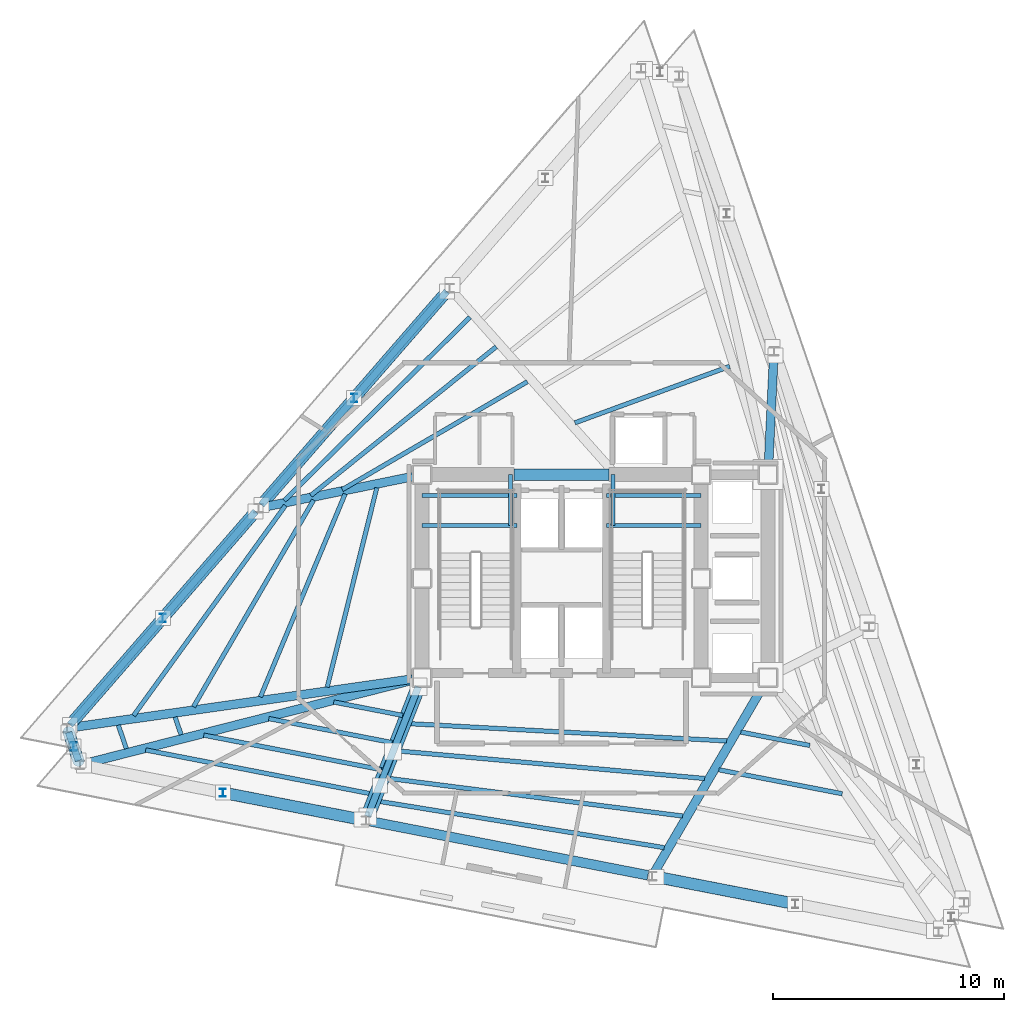
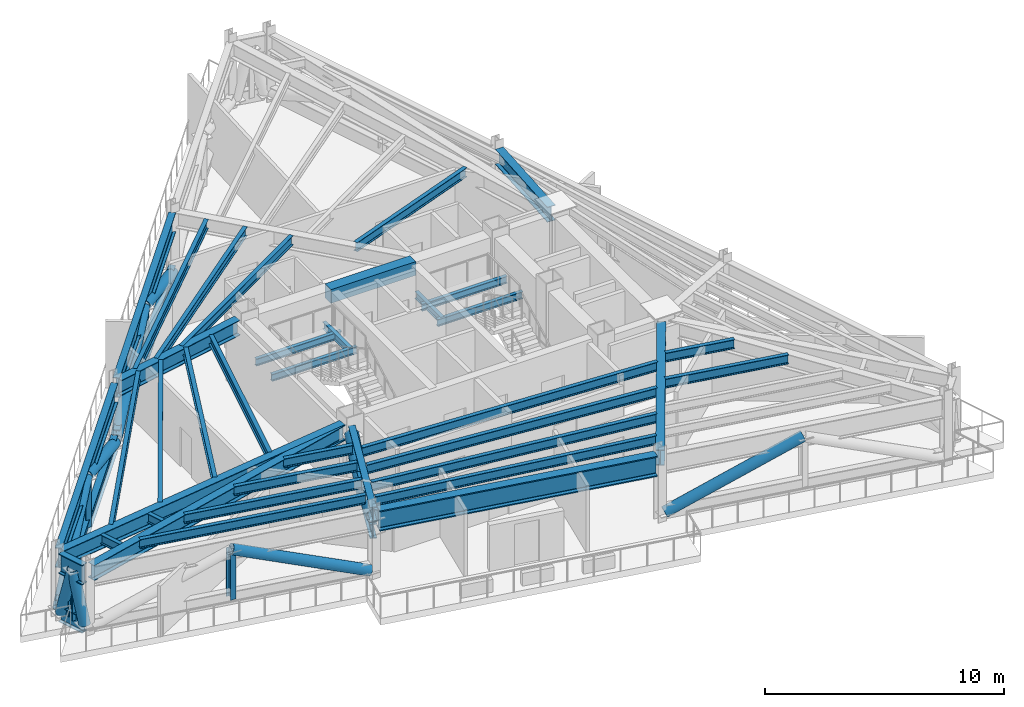
# One storey, part 2 of 8: 36 beams, 20 members.
"""IFC4 building model written with IfcOpenShell, lengths in metres."""

import ifcopenshell
import ifcopenshell.guid

model = None  # the IFC model being written
_history = None  # IfcOwnerHistory: only IFC2X3 demands one
_inside = {}  # id of a spatial element -> (the spatial element, [elements in it])
_under = {}  # id of a project, library or spatial element -> (it, [spatial elements below it])
_declared = {}  # id of a project -> (the project, [libraries it declares])
_typed = {}  # id of a type object -> (the type object, [elements of that type])
_made_of = {}  # id of a material, layer set ... -> (it, [elements and type objects made of it])


def new_model(schema):
    """Start an empty IFC model of exactly this schema.

    Asked for "IFC4X3", IfcOpenShell would pick the latest addendum, in which some entities
    have other attributes; the version numbers below select the first issue.
    IFC2X3 requires an IfcOwnerHistory on every rooted entity: one is made here for all.
    """
    global model, _history
    if schema == "IFC4X3":
        model = ifcopenshell.file(schema_version=(4, 3, 0, 0))
    else:
        model = ifcopenshell.file(schema=schema)
    _inside.clear()
    _under.clear()
    _declared.clear()
    _typed.clear()
    _made_of.clear()
    _history = None
    if model.schema == "IFC2X3":
        org = make("IfcOrganization", Name="unknown")
        user = make(
            "IfcPersonAndOrganization",
            ThePerson=make("IfcPerson", FamilyName="unknown"),
            TheOrganization=org,
        )
        app = make(
            "IfcApplication",
            ApplicationDeveloper=org,
            Version="unknown",
            ApplicationFullName="unknown",
            ApplicationIdentifier="unknown",
        )
        _history = make(
            "IfcOwnerHistory",
            OwningUser=user,
            OwningApplication=app,
            ChangeAction="ADDED",
            CreationDate=0,
        )
    return model


def make(cls, **values):
    """One entity of the class cls with the attributes given. An attribute that is None is left unset."""
    return model.create_entity(
        cls, **{name: value for name, value in values.items() if value is not None}
    )


def rooted(cls, **values):
    """An entity with a GlobalId (a new one), such as an element, a storey or a relation."""
    return make(cls, GlobalId=ifcopenshell.guid.new(), OwnerHistory=_history, **values)


def si_unit(unit_type, name, prefix=None):
    """IfcSIUnit, for example si_unit("LENGTHUNIT", "METRE", prefix="MILLI")."""
    return make("IfcSIUnit", UnitType=unit_type, Prefix=prefix, Name=name)


def assignment(units):
    """IfcUnitAssignment: the units of a project."""
    return None if units is None else make("IfcUnitAssignment", Units=units)


def point(xyz):
    """IfcCartesianPoint."""
    return None if xyz is None else make("IfcCartesianPoint", Coordinates=xyz)


def direction(xyz):
    """IfcDirection."""
    return None if xyz is None else make("IfcDirection", DirectionRatios=xyz)


def frame(location, z_axis=None, x_axis=None):
    """IfcAxis2Placement3D, a coordinate frame: its origin and axes. An axis left out is left unset."""
    return make(
        "IfcAxis2Placement3D",
        Location=point(location),
        Axis=direction(z_axis),
        RefDirection=direction(x_axis),
    )


def frame_2d(location, x_axis=None):
    """IfcAxis2Placement2D, a coordinate frame in the plane: its origin and x axis."""
    return make(
        "IfcAxis2Placement2D", Location=point(location), RefDirection=direction(x_axis)
    )


def origin():
    """The frame at (0, 0, 0) with its axes left unset."""
    return frame((0.0, 0.0, 0.0))


def origin_2d():
    """The frame at (0, 0) in the plane with its x axis left unset."""
    return frame_2d((0.0, 0.0))


def place(relative_to, where):
    """IfcLocalPlacement: puts the frame where relative to a parent placement (None: the world)."""
    return make(
        "IfcLocalPlacement", PlacementRelTo=relative_to, RelativePlacement=where
    )


def context(
    kind, dimensions, precision=None, world=None, true_north=None, identifier=None
):
    """IfcGeometricRepresentationContext, for example the 3D "Model" context."""
    return make(
        "IfcGeometricRepresentationContext",
        ContextIdentifier=identifier,
        ContextType=kind,
        CoordinateSpaceDimension=dimensions,
        Precision=precision,
        WorldCoordinateSystem=world,
        TrueNorth=true_north,
    )


def subcontext(parent, identifier, kind, view, scale=None):
    """IfcGeometricRepresentationSubContext, for example "Body" below "Model"."""
    return make(
        "IfcGeometricRepresentationSubContext",
        ContextIdentifier=identifier,
        ContextType=kind,
        ParentContext=parent,
        TargetScale=scale,
        TargetView=view,
    )


def project(units=None, contexts=None):
    """IfcProject with its units and contexts."""
    return rooted(
        "IfcProject",
        Name="project",
        RepresentationContexts=contexts,
        UnitsInContext=assignment(units),
    )


def spatial(cls, under=None, at=None, **own):
    """A site, building, storey or space (cls), placed at a placement, below another one or the project."""
    s = rooted(cls, ObjectPlacement=at, **own)
    if under is not None:
        _under.setdefault(under.id(), (under, []))[1].append(s)
    return s


def profile(cls, at=None, kind="AREA", **sizes):
    """A parametric profile (cls). Its sizes go by their IFC names, for example OverallWidth=200.0."""
    return make(cls, ProfileType=kind, Position=at, **sizes)


def rectangle(**sizes):
    """IfcRectangleProfileDef."""
    return profile("IfcRectangleProfileDef", **sizes)


def hollow_circle(**sizes):
    """IfcCircleHollowProfileDef."""
    return profile("IfcCircleHollowProfileDef", **sizes)


def i_section(**sizes):
    """IfcIShapeProfileDef."""
    return profile("IfcIShapeProfileDef", **sizes)


def extrude(swept, where, along, depth):
    """IfcExtrudedAreaSolid: the profile swept, set in the frame where, extruded along a direction by depth."""
    return make(
        "IfcExtrudedAreaSolid",
        SweptArea=swept,
        Position=where,
        ExtrudedDirection=direction(along),
        Depth=depth,
    )


def shape(context_of_items, identifier, shape_type, items):
    """IfcShapeRepresentation: the items that make up one representation, for example the "Body"."""
    return make(
        "IfcShapeRepresentation",
        ContextOfItems=context_of_items,
        RepresentationIdentifier=identifier,
        RepresentationType=shape_type,
        Items=items,
    )


def material(Name=None, Category=None):
    """IfcMaterial."""
    return make("IfcMaterial", Name=Name, Category=Category)


def material_profile(
    of_material, cross_section, Name=None, Category=None, Priority=None
):
    """IfcMaterialProfile: a cross section and its material."""
    return make(
        "IfcMaterialProfile",
        Name=Name,
        Material=of_material,
        Profile=cross_section,
        Priority=Priority,
        Category=Category,
    )


def profile_set(profiles, Name=None, composite=None):
    """IfcMaterialProfileSet."""
    return make(
        "IfcMaterialProfileSet",
        Name=Name,
        MaterialProfiles=profiles,
        CompositeProfile=composite,
    )


def made_of(thing, what):
    """Note that an element or type object is made of a material, layer set ...; save() writes the relation."""
    if what is not None:
        _made_of.setdefault(what.id(), (what, []))[1].append(thing)
    return thing


def type_object(cls, material=None, **own):
    """A type object (cls), such as IfcWallType, which elements share."""
    return made_of(rooted(cls, **own), material)


def element(
    cls,
    number,
    at=None,
    inside=None,
    cuts=None,
    type_object=None,
    material=None,
    context=None,
    identifier="Body",
    shape_type=None,
    held_by="IfcProductDefinitionShape",
    body=None,
    shapes=None,
    **own,
):
    """One element of the class cls, such as IfcWall. Its Tag is "e" and its number.

    at: its placement. inside: the storey or other place that contains it. cuts: it is an
    opening in that element (IfcRelVoidsElement). A single representation is given by context,
    identifier, shape_type and body (its items); several are given by shapes. held_by: the class
    of the entity that holds the representations. save() writes the other relations.
    """
    e = rooted(cls, Tag="e%d" % number, ObjectPlacement=at, **own)
    if body is not None:
        shapes = [shape(context, identifier, shape_type, body)]
    if shapes is not None:
        e.Representation = make(held_by, Representations=shapes)
    if inside is not None:
        _inside.setdefault(inside.id(), (inside, []))[1].append(e)
    if cuts is not None:
        rooted(
            "IfcRelVoidsElement", RelatingBuildingElement=cuts, RelatedOpeningElement=e
        )
    if type_object is not None:
        _typed.setdefault(type_object.id(), (type_object, []))[1].append(e)
    return made_of(e, material)


def aggregate(whole, parts):
    """IfcRelAggregates: a whole, such as a stair, and the parts it consists of."""
    return rooted("IfcRelAggregates", RelatingObject=whole, RelatedObjects=parts)


def save(model, path):
    """Write the relations noted so far, then the file.

    IfcRelAggregates (storeys below a building ...), IfcRelContainedInSpatialStructure (elements
    in a storey), IfcRelDefinesByType, IfcRelAssociatesMaterial and IfcRelDeclares: one each for
    every whole, place, type object, material and project.
    """
    for whole, parts in _under.values():
        aggregate(whole, parts)
    for where, things in _inside.values():
        rooted(
            "IfcRelContainedInSpatialStructure",
            RelatedElements=things,
            RelatingStructure=where,
        )
    for kind, things in _typed.values():
        rooted("IfcRelDefinesByType", RelatedObjects=things, RelatingType=kind)
    for what, things in _made_of.values():
        rooted("IfcRelAssociatesMaterial", RelatedObjects=things, RelatingMaterial=what)
    for by, libraries in _declared.values():
        rooted("IfcRelDeclares", RelatingContext=by, RelatedDefinitions=libraries)
    model.write(path)


model = new_model("IFC4")

# Units and contexts
model_context = context("Model", 3, precision=1e-05, world=origin(), true_north=direction((0.0, 1.0)))
body_context = subcontext(model_context, "Body", "Model", "MODEL_VIEW")
ifc_project = project(units=[si_unit("LENGTHUNIT", "METRE"), si_unit("AREAUNIT", "SQUARE_METRE"), si_unit("VOLUMEUNIT", "CUBIC_METRE"), si_unit("PLANEANGLEUNIT", "RADIAN"), si_unit("MASSUNIT", "GRAM", prefix="KILO")], contexts=[model_context])

# Site, building, storey
site_placement = place(None, origin())
site = spatial("IfcSite", under=ifc_project, at=site_placement, CompositionType="ELEMENT")
building_placement = place(site_placement, origin())
building = spatial("IfcBuilding", under=site, at=building_placement, Name="Rocaltana Carrier Exchange", CompositionType="ELEMENT")
storey_placement = place(building_placement, frame((0.0, 0.0, 171.52001953125)))
storey = spatial("IfcBuildingStorey", under=building, at=storey_placement, Name="L54", CompositionType="ELEMENT", Elevation=171.52001953125)

# Members
ifc_material_1 = material(Name="Steel S460", Category="steel")
ifc_material_profile_1 = material_profile(ifc_material_1, i_section(OverallWidth=0.300048828125, OverallDepth=0.800048828125, WebThickness=0.017578125, FlangeThickness=0.032958984375, FilletRadius=0.030029296875, at=origin_2d()), Name="HEB800")
ifc_profile_set_1 = profile_set([ifc_material_profile_1], Name="Steel S460")
member_type_1 = type_object("IfcMemberType", Name="Belt Truss Chord HEB800", PredefinedType="CHORD", material=ifc_profile_set_1)
member_1_placement = place(storey_placement, frame((-4.971435546875, 12.440185546875, 0.35009765625), z_axis=(-0.656065259921, -0.754704163713, 0.0), x_axis=(0.754704163713, -0.656065259921, 0.0)))
element("IfcMember", 1, at=member_1_placement, inside=storey, type_object=member_type_1, Name="L54 Belt Truss Bottom Chord 6", PredefinedType="CHORD", context=body_context, shape_type="SweptSolid", body=[
    extrude(i_section(OverallWidth=0.300048828125, OverallDepth=0.800048828125, WebThickness=0.017578125, FlangeThickness=0.032958984375, FilletRadius=0.030029296875, at=origin_2d()), origin(), (0.0, 0.0, 1.0), 12.254150390625),
])
member_2_placement = place(storey_placement, frame((-13.259765625, 2.90576171875, 0.35009765625), z_axis=(-0.656055395422, -0.754712738821, 0.0), x_axis=(0.754712738821, -0.656055395422, 0.0)))
element("IfcMember", 2, at=member_2_placement, inside=storey, type_object=member_type_1, Name="L54 Belt Truss Bottom Chord 7", PredefinedType="CHORD", context=body_context, shape_type="SweptSolid", body=[
    extrude(i_section(OverallWidth=0.300048828125, OverallDepth=0.800048828125, WebThickness=0.017578125, FlangeThickness=0.032958984375, FilletRadius=0.030029296875, at=origin_2d()), origin(), (0.0, 0.0, 1.0), 12.25439453125),
])
member_3_placement = place(storey_placement, frame((-21.36181640625, -6.664794921875, 0.35009765625), z_axis=(0.32546636066, -0.945553619885, 0.0), x_axis=(0.945553619885, 0.32546636066, 0.0)))
element("IfcMember", 3, at=member_3_placement, inside=storey, type_object=member_type_1, Name="L54 Belt Truss Bottom Chord 8", PredefinedType="CHORD", context=body_context, shape_type="SweptSolid", body=[
    extrude(i_section(OverallWidth=0.300048828125, OverallDepth=0.800048828125, WebThickness=0.017578125, FlangeThickness=0.032958984375, FilletRadius=0.030029296875, at=origin_2d()), origin(), (0.0, 0.0, 1.0), 1.305908203125),
])
ifc_material_2 = material(Name="Steel S460", Category="steel")
ifc_material_profile_2 = material_profile(ifc_material_2, hollow_circle(Radius=0.25390625, WallThickness=0.02001953125, at=origin_2d()), Name="CHS508X20")
ifc_profile_set_2 = profile_set([ifc_material_profile_2], Name="Steel S460")
member_type_2 = type_object("IfcMemberType", Name="Belt Truss Diagonal CHS508", PredefinedType="BRACE", material=ifc_profile_set_2)
member_4_placement = place(storey_placement, frame((-4.971435546875, 12.440185546875, 0.35009765625), z_axis=(-0.607861039895, -0.699270935721, 0.376198238477), x_axis=(0.754712738821, -0.656055395422, 0.0)))
element("IfcMember", 4, at=member_4_placement, inside=storey, type_object=member_type_2, Name="L54 Belt Truss Diagonal 6A", PredefinedType="BRACE", context=body_context, shape_type="SweptSolid", body=[
    extrude(hollow_circle(Radius=0.25390625, WallThickness=0.02001953125, at=origin_2d()), origin(), (0.0, 0.0, 1.0), 6.613037109375),
])
member_5_placement = place(storey_placement, frame((-8.9912109375, 7.81591796875, 2.837890625), z_axis=(-0.607876732596, -0.699252068957, -0.376207950511), x_axis=(0.754695588218, -0.656075124604, 0.0)))
element("IfcMember", 5, at=member_5_placement, inside=storey, type_object=member_type_2, Name="L54 Belt Truss Diagonal 6B", PredefinedType="BRACE", context=body_context, shape_type="SweptSolid", body=[
    extrude(hollow_circle(Radius=0.25390625, WallThickness=0.02001953125, at=origin_2d()), origin(), (0.0, 0.0, 1.0), 6.61279296875),
])
for number, where, z_axis, x_axis, name in (
    (6, (-13.259765625, 2.90576171875, 0.35009765625), (-0.607861039895, -0.699270935721, 0.376198238477), (0.754712738821, -0.656055395422, 0.0), "L54 Belt Truss Diagonal 7A"),
    (7, (-17.279541015625, -1.718505859375, 2.837890625), (-0.607861039895, -0.699270935721, -0.376198238477), (0.754712738821, -0.656055395422, 0.0), "L54 Belt Truss Diagonal 7B"),
):
    element("IfcMember", number, at=place(storey_placement, frame(where, z_axis=z_axis, x_axis=x_axis)), inside=storey, type_object=member_type_2, Name=name, PredefinedType="BRACE", context=body_context, shape_type="SweptSolid", body=[
        extrude(hollow_circle(Radius=0.25390625, WallThickness=0.02001953125, at=origin_2d()), origin(), (0.0, 0.0, 1.0), 6.613037109375),
    ])
for number, where, z_axis, x_axis, name in (
    (8, (-21.36181640625, -6.664794921875, 0.35009765625), (0.082580896727, -0.240054123933, 0.967240617984), (0.945611139304, 0.325299205692, 0.0), "L54 Belt Truss Diagonal 8A"),
    (9, (-21.1494140625, -7.2822265625, 2.837890625), (0.082675168868, -0.24005224118, -0.967233031879), (0.945496077923, 0.325633485121, 0.0), "L54 Belt Truss Diagonal 8B"),
):
    element("IfcMember", number, at=place(storey_placement, frame(where, z_axis=z_axis, x_axis=x_axis)), inside=storey, type_object=member_type_2, Name=name, PredefinedType="BRACE", context=body_context, shape_type="SweptSolid", body=[
        extrude(hollow_circle(Radius=0.25390625, WallThickness=0.02001953125, at=origin_2d()), origin(), (0.0, 0.0, 1.0), 2.572021484375),
    ])
for number, where, z_axis, x_axis, name in (
    (10, (-14.674560546875, -9.2841796875, 2.837890625), (0.90952124467, -0.17676521024, -0.376198306673), (0.190780072674, 0.981632805009, 0.0), "L54 Belt Truss Diagonal 9B"),
    (11, (4.11328125, -12.936279296875, 0.35009765625), (0.90952124467, -0.17676521024, 0.376198306673), (0.190780072674, 0.981632805009, 0.0), "L54 Belt Truss Diagonal 11A"),
):
    element("IfcMember", number, at=place(storey_placement, frame(where, z_axis=z_axis, x_axis=x_axis)), inside=storey, type_object=member_type_2, Name=name, PredefinedType="BRACE", context=body_context, shape_type="SweptSolid", body=[
        extrude(hollow_circle(Radius=0.25390625, WallThickness=0.02001953125, at=origin_2d()), origin(), (0.0, 0.0, 1.0), 6.613037109375),
    ])
ifc_material_3 = material(Name="Steel S460", Category="steel")
ifc_material_profile_3 = material_profile(ifc_material_3, i_section(OverallWidth=0.257080078125, OverallDepth=0.363037109375, WebThickness=0.012939453125, FlangeThickness=0.021728515625, FilletRadius=0.014892578125, at=origin_2d()), Name="W14X82")
ifc_profile_set_3 = profile_set([ifc_material_profile_3], Name="Steel S460")
member_type_3 = type_object("IfcMemberType", Name="Belt Truss Post W14X82", PredefinedType="POST", material=ifc_profile_set_3)
for number, where, z_axis, x_axis, name in (
    (12, (-8.9912109375, 7.81591796875, 0.35009765625), (0.0, 0.0, 1.0), (1.0, 0.0, 0.0), "L54 Belt Truss Post 6"),
    (13, (-17.279541015625, -1.718505859375, 0.35009765625), (0.0, 0.0, 1.0), (1.0, 0.0, 0.0), "L54 Belt Truss Post 7"),
    (14, (-21.1494140625, -7.2822265625, 0.35009765625), (0.0, 0.0, 1.0), (1.0, 0.0, 0.0), "L54 Belt Truss Post 8"),
    (15, (-14.674560546875, -9.2841796875, 0.35009765625), (0.0, 0.0, 1.0), (1.0, 0.0, 0.0), "L54 Belt Truss Post 9"),
):
    element("IfcMember", number, at=place(storey_placement, frame(where, z_axis=z_axis, x_axis=x_axis)), inside=storey, type_object=member_type_3, Name=name, PredefinedType="POST", context=body_context, shape_type="SweptSolid", body=[
        extrude(i_section(OverallWidth=0.257080078125, OverallDepth=0.363037109375, WebThickness=0.012939453125, FlangeThickness=0.021728515625, FilletRadius=0.014892578125, at=origin_2d()), origin(), (0.0, 0.0, 1.0), 2.48779296875),
    ])

# Beams
ifc_material_4 = material(Name="Concrete C60/75", Category="concrete")
ifc_material_profile_4 = material_profile(ifc_material_4, rectangle(XDim=0.5, YDim=0.699951171875, at=origin_2d()), Name="RC-BM-500X700")
ifc_profile_set_4 = profile_set([ifc_material_profile_4], Name="Concrete C60/75")
beam_type_1 = type_object("IfcBeamType", Name="Core Coupling Lintel 500x700", PredefinedType="LINTEL", material=ifc_profile_set_4)
beam_1_placement = place(storey_placement, frame((-2.050048828125, 4.5, 3.06787109375), z_axis=(1.0, 0.0, 0.0), x_axis=(0.0, 1.0, 0.0)))
element("IfcBeam", 16, at=beam_1_placement, inside=storey, type_object=beam_type_1, Name="L54 Core Coupling Lintel CL-N", PredefinedType="LINTEL", context=body_context, shape_type="SweptSolid", body=[
    extrude(rectangle(XDim=0.5, YDim=0.699951171875, at=origin_2d()), origin(), (0.0, 0.0, 1.0), 4.10009765625),
])
ifc_material_5 = material(Name="Steel S355", Category="steel")
ifc_material_profile_5 = material_profile(ifc_material_5, i_section(OverallWidth=0.172119140625, OverallDepth=0.35791015625, WebThickness=0.0078125, FlangeThickness=0.01318359375, FilletRadius=0.011962890625, at=origin_2d()), Name="W14X38")
ifc_profile_set_5 = profile_set([ifc_material_profile_5], Name="Steel S355")
beam_type_2 = type_object("IfcBeamType", Name="Floor Joist W14X38", PredefinedType="JOIST", material=ifc_profile_set_5)
for number, where, z_axis, x_axis, name in (
    (17, (-6.050048828125, 2.300048828125, 1.541015625), (1.0, 0.0, 0.0), (0.0, 1.0, 0.0), "L54 ST-1 Landing Carrier 1"),
    (18, (1.93994140625, 2.300048828125, 1.541015625), (1.0, 0.0, 0.0), (0.0, 1.0, 0.0), "L54 ST-2 Landing Carrier 1"),
    (19, (-6.050048828125, 3.60009765625, 1.541015625), (1.0, 0.0, 0.0), (0.0, 1.0, 0.0), "L54 ST-1 Landing Carrier 2"),
    (20, (1.93994140625, 3.60009765625, 1.541015625), (1.0, 0.0, 0.0), (0.0, 1.0, 0.0), "L54 ST-2 Landing Carrier 2"),
):
    element("IfcBeam", number, at=place(storey_placement, frame(where, z_axis=z_axis, x_axis=x_axis)), inside=storey, type_object=beam_type_2, Name=name, PredefinedType="JOIST", context=body_context, shape_type="SweptSolid", body=[
        extrude(i_section(OverallWidth=0.172119140625, OverallDepth=0.35791015625, WebThickness=0.0078125, FlangeThickness=0.01318359375, FilletRadius=0.011962890625, at=origin_2d()), origin(), (0.0, 0.0, 1.0), 4.110107421875),
    ])
for number, where, z_axis, x_axis, name in (
    (21, (-2.219970703125, 2.300048828125, 1.541015625), (0.0, 1.0, 0.0), (-1.0, 0.0, 0.0), "L54 ST-1 Landing Cross Trimmer"),
    (22, (2.219970703125, 2.300048828125, 1.541015625), (0.0, 1.0, 0.0), (-1.0, 0.0, 0.0), "L54 ST-2 Landing Cross Trimmer"),
):
    element("IfcBeam", number, at=place(storey_placement, frame(where, z_axis=z_axis, x_axis=x_axis)), inside=storey, type_object=beam_type_2, Name=name, PredefinedType="JOIST", context=body_context, shape_type="SweptSolid", body=[
        extrude(i_section(OverallWidth=0.172119140625, OverallDepth=0.35791015625, WebThickness=0.0078125, FlangeThickness=0.01318359375, FilletRadius=0.011962890625, at=origin_2d()), origin(), (0.0, 0.0, 1.0), 2.199951171875),
    ])
ifc_material_6 = material(Name="Steel S355", Category="steel")
ifc_material_profile_6 = material_profile(ifc_material_6, i_section(OverallWidth=0.193115234375, OverallDepth=0.466064453125, WebThickness=0.011474609375, FlangeThickness=0.01904296875, FilletRadius=0.013916015625, at=origin_2d()), Name="W18X65")
ifc_profile_set_6 = profile_set([ifc_material_profile_6], Name="Steel S355")
beam_type_3 = type_object("IfcBeamType", Name="Floor Joist W18X65", PredefinedType="JOIST", material=ifc_profile_set_6)
beam_2_placement = place(storey_placement, frame((7.289306640625, 9.193603515625, 3.18505859375), z_axis=(-0.939420580628, -0.342766644662, 0.0), x_axis=(0.342766644662, -0.939420580628, 0.0)))
element("IfcBeam", 23, at=beam_2_placement, inside=storey, type_object=beam_type_3, Name="FJ-L54-05-1", PredefinedType="JOIST", context=body_context, shape_type="SweptSolid", body=[
    extrude(i_section(OverallWidth=0.193115234375, OverallDepth=0.466064453125, WebThickness=0.011474609375, FlangeThickness=0.01904296875, FilletRadius=0.013916015625, at=origin_2d()), origin(), (0.0, 0.0, 1.0), 7.141845703125),
])
beam_3_placement = place(storey_placement, frame((-1.47998046875, 8.529541015625, 3.18505859375), z_axis=(-0.863966661771, -0.503549011863, 0.0), x_axis=(0.503549011863, -0.863966661771, 0.0)))
element("IfcBeam", 24, at=beam_3_placement, inside=storey, type_object=beam_type_3, Name="FJ-L54-06-2", PredefinedType="JOIST", context=body_context, shape_type="SweptSolid", body=[
    extrude(i_section(OverallWidth=0.193115234375, OverallDepth=0.466064453125, WebThickness=0.011474609375, FlangeThickness=0.01904296875, FilletRadius=0.013916015625, at=origin_2d()), origin(), (0.0, 0.0, 1.0), 9.28759765625),
])
beam_4_placement = place(storey_placement, frame((-2.83203125, 10.04296875, 3.18505859375), z_axis=(-0.780100369522, -0.625654388198, 0.0), x_axis=(0.625654388198, -0.780100369522, 0.0)))
element("IfcBeam", 25, at=beam_4_placement, inside=storey, type_object=beam_type_3, Name="FJ-L54-06-3", PredefinedType="JOIST", context=body_context, shape_type="SweptSolid", body=[
    extrude(i_section(OverallWidth=0.193115234375, OverallDepth=0.466064453125, WebThickness=0.011474609375, FlangeThickness=0.01904296875, FilletRadius=0.013916015625, at=origin_2d()), origin(), (0.0, 0.0, 1.0), 10.298583984375),
])
beam_5_placement = place(storey_placement, frame((-3.970947265625, 11.322021484375, 3.18505859375), z_axis=(-0.711553827165, -0.702631589844, 0.0), x_axis=(0.702631589844, -0.711553827165, 0.0)))
element("IfcBeam", 26, at=beam_5_placement, inside=storey, type_object=beam_type_3, Name="FJ-L54-06-4", PredefinedType="JOIST", context=body_context, shape_type="SweptSolid", body=[
    extrude(i_section(OverallWidth=0.193115234375, OverallDepth=0.466064453125, WebThickness=0.011474609375, FlangeThickness=0.01904296875, FilletRadius=0.013916015625, at=origin_2d()), origin(), (0.0, 0.0, 1.0), 11.301025390625),
])
beam_6_placement = place(storey_placement, frame((-8.007568359375, 3.92919921875, 3.18505859375), z_axis=(-0.241328929932, -0.970443376801, 0.0), x_axis=(0.970443376801, -0.241328929932, 0.0)))
element("IfcBeam", 27, at=beam_6_placement, inside=storey, type_object=beam_type_3, Name="FJ-L54-07-1", PredefinedType="JOIST", context=body_context, shape_type="SweptSolid", body=[
    extrude(i_section(OverallWidth=0.193115234375, OverallDepth=0.466064453125, WebThickness=0.011474609375, FlangeThickness=0.01904296875, FilletRadius=0.013916015625, at=origin_2d()), origin(), (0.0, 0.0, 1.0), 8.903564453125),
])
beam_7_placement = place(storey_placement, frame((-9.38037109375, 3.662109375, 3.18505859375), z_axis=(-0.385057268615, -0.92289268059, 0.0), x_axis=(0.92289268059, -0.385057268615, 0.0)))
element("IfcBeam", 28, at=beam_7_placement, inside=storey, type_object=beam_type_3, Name="FJ-L54-07-2", PredefinedType="JOIST", context=body_context, shape_type="SweptSolid", body=[
    extrude(i_section(OverallWidth=0.193115234375, OverallDepth=0.466064453125, WebThickness=0.011474609375, FlangeThickness=0.01904296875, FilletRadius=0.013916015625, at=origin_2d()), origin(), (0.0, 0.0, 1.0), 9.5322265625),
])
beam_8_placement = place(storey_placement, frame((-10.748291015625, 3.397216796875, 3.18505859375), z_axis=(-0.502149731096, -0.864780693332, 0.0), x_axis=(0.864780693332, -0.502149731096, 0.0)))
element("IfcBeam", 29, at=beam_8_placement, inside=storey, type_object=beam_type_3, Name="FJ-L54-07-3", PredefinedType="JOIST", context=body_context, shape_type="SweptSolid", body=[
    extrude(i_section(OverallWidth=0.193115234375, OverallDepth=0.466064453125, WebThickness=0.011474609375, FlangeThickness=0.01904296875, FilletRadius=0.013916015625, at=origin_2d()), origin(), (0.0, 0.0, 1.0), 10.359375),
])
beam_9_placement = place(storey_placement, frame((-11.968017578125, 3.160400390625, 3.18505859375), z_axis=(-0.585836504735, -0.810429262626, 0.0), x_axis=(0.810429262626, -0.585836504735, 0.0)))
element("IfcBeam", 30, at=beam_9_placement, inside=storey, type_object=beam_type_3, Name="FJ-L54-07-4", PredefinedType="JOIST", context=body_context, shape_type="SweptSolid", body=[
    extrude(i_section(OverallWidth=0.193115234375, OverallDepth=0.466064453125, WebThickness=0.011474609375, FlangeThickness=0.01904296875, FilletRadius=0.013916015625, at=origin_2d()), origin(), (0.0, 0.0, 1.0), 11.232421875),
])
beam_10_placement = place(storey_placement, frame((-16.75146484375, -6.00439453125, 3.18505859375), z_axis=(0.325610060785, -0.945504145055, 0.0), x_axis=(0.945504145055, 0.325610060785, 0.0)))
element("IfcBeam", 31, at=beam_10_placement, inside=storey, type_object=beam_type_3, Name="FJ-L54-08-3", PredefinedType="JOIST", context=body_context, shape_type="SweptSolid", body=[
    extrude(i_section(OverallWidth=0.193115234375, OverallDepth=0.466064453125, WebThickness=0.011474609375, FlangeThickness=0.01904296875, FilletRadius=0.013916015625, at=origin_2d()), origin(), (0.0, 0.0, 1.0), 0.810546875),
])
beam_11_placement = place(storey_placement, frame((-19.211181640625, -6.354248046875, 3.18505859375), z_axis=(0.325503000405, -0.945541007428, 0.0), x_axis=(0.945541007428, 0.325503000405, 0.0)))
element("IfcBeam", 32, at=beam_11_placement, inside=storey, type_object=beam_type_3, Name="FJ-L54-08-4", PredefinedType="JOIST", context=body_context, shape_type="SweptSolid", body=[
    extrude(i_section(OverallWidth=0.193115234375, OverallDepth=0.466064453125, WebThickness=0.011474609375, FlangeThickness=0.01904296875, FilletRadius=0.013916015625, at=origin_2d()), origin(), (0.0, 0.0, 1.0), 1.080078125),
])
beam_12_placement = place(storey_placement, frame((-9.87158203125, -5.35546875, 3.18505859375), z_axis=(0.981634181365, -0.190772990688, 0.0), x_axis=(0.190772990688, 0.981634181365, 0.0)))
element("IfcBeam", 33, at=beam_12_placement, inside=storey, type_object=beam_type_3, Name="FJ-L54-09-1", PredefinedType="JOIST", context=body_context, shape_type="SweptSolid", body=[
    extrude(i_section(OverallWidth=0.193115234375, OverallDepth=0.466064453125, WebThickness=0.011474609375, FlangeThickness=0.01904296875, FilletRadius=0.013916015625, at=origin_2d()), origin(), (0.0, 0.0, 1.0), 3.0419921875),
])
beam_13_placement = place(storey_placement, frame((-12.6884765625, -6.073486328125, 3.18505859375), z_axis=(0.981630795697, -0.190790411027, 0.0), x_axis=(0.190790411027, 0.981630795697, 0.0)))
element("IfcBeam", 34, at=beam_13_placement, inside=storey, type_object=beam_type_3, Name="FJ-L54-09-2", PredefinedType="JOIST", context=body_context, shape_type="SweptSolid", body=[
    extrude(i_section(OverallWidth=0.193115234375, OverallDepth=0.466064453125, WebThickness=0.011474609375, FlangeThickness=0.01904296875, FilletRadius=0.013916015625, at=origin_2d()), origin(), (0.0, 0.0, 1.0), 5.442138671875),
])
beam_14_placement = place(storey_placement, frame((-15.505126953125, -6.79150390625, 3.18505859375), z_axis=(0.981629482389, -0.190797167969, 0.0), x_axis=(0.190797167969, 0.981629482389, 0.0)))
element("IfcBeam", 35, at=beam_14_placement, inside=storey, type_object=beam_type_3, Name="FJ-L54-09-3", PredefinedType="JOIST", context=body_context, shape_type="SweptSolid", body=[
    extrude(i_section(OverallWidth=0.193115234375, OverallDepth=0.466064453125, WebThickness=0.011474609375, FlangeThickness=0.01904296875, FilletRadius=0.013916015625, at=origin_2d()), origin(), (0.0, 0.0, 1.0), 7.842529296875),
])
beam_15_placement = place(storey_placement, frame((-18.025390625, -7.433837890625, 3.18505859375), z_axis=(0.981627470153, -0.1908075204, 0.0), x_axis=(0.1908075204, 0.981627470153, 0.0)))
element("IfcBeam", 36, at=beam_15_placement, inside=storey, type_object=beam_type_3, Name="FJ-L54-09-4", PredefinedType="JOIST", context=body_context, shape_type="SweptSolid", body=[
    extrude(i_section(OverallWidth=0.193115234375, OverallDepth=0.466064453125, WebThickness=0.011474609375, FlangeThickness=0.01904296875, FilletRadius=0.013916015625, at=origin_2d()), origin(), (0.0, 0.0, 1.0), 9.990478515625),
])
beam_16_placement = place(storey_placement, frame((-6.641357421875, -6.29052734375, 3.18505859375), z_axis=(0.998520629672, -0.054374186153, 0.0), x_axis=(0.054374186153, 0.998520629672, 0.0)))
element("IfcBeam", 37, at=beam_16_placement, inside=storey, type_object=beam_type_3, Name="FJ-L54-10-1", PredefinedType="JOIST", context=body_context, shape_type="SweptSolid", body=[
    extrude(i_section(OverallWidth=0.193115234375, OverallDepth=0.466064453125, WebThickness=0.011474609375, FlangeThickness=0.01904296875, FilletRadius=0.013916015625, at=origin_2d()), origin(), (0.0, 0.0, 1.0), 13.8203125),
])
beam_17_placement = place(storey_placement, frame((-7.102294921875, -7.47314453125, 3.18505859375), z_axis=(0.995983324954, -0.08953891005, 0.0), x_axis=(0.08953891005, 0.995983324954, 0.0)))
element("IfcBeam", 38, at=beam_17_placement, inside=storey, type_object=beam_type_3, Name="FJ-L54-10-2", PredefinedType="JOIST", context=body_context, shape_type="SweptSolid", body=[
    extrude(i_section(OverallWidth=0.193115234375, OverallDepth=0.466064453125, WebThickness=0.011474609375, FlangeThickness=0.01904296875, FilletRadius=0.013916015625, at=origin_2d()), origin(), (0.0, 0.0, 1.0), 13.360595703125),
])
beam_18_placement = place(storey_placement, frame((-7.563720703125, -8.656005859375, 3.18505859375), z_axis=(0.99190426186, -0.126987933696, 0.0), x_axis=(0.126987933696, 0.99190426186, 0.0)))
element("IfcBeam", 39, at=beam_18_placement, inside=storey, type_object=beam_type_3, Name="FJ-L54-10-3", PredefinedType="JOIST", context=body_context, shape_type="SweptSolid", body=[
    extrude(i_section(OverallWidth=0.193115234375, OverallDepth=0.466064453125, WebThickness=0.011474609375, FlangeThickness=0.01904296875, FilletRadius=0.013916015625, at=origin_2d()), origin(), (0.0, 0.0, 1.0), 12.91943359375),
])
beam_19_placement = place(storey_placement, frame((-7.952392578125, -9.652587890625, 3.18505859375), z_axis=(0.987068189875, -0.160300931178, 0.0), x_axis=(0.160300931178, 0.987068189875, 0.0)))
element("IfcBeam", 40, at=beam_19_placement, inside=storey, type_object=beam_type_3, Name="FJ-L54-10-4", PredefinedType="JOIST", context=body_context, shape_type="SweptSolid", body=[
    extrude(i_section(OverallWidth=0.193115234375, OverallDepth=0.466064453125, WebThickness=0.011474609375, FlangeThickness=0.01904296875, FilletRadius=0.013916015625, at=origin_2d()), origin(), (0.0, 0.0, 1.0), 12.563232421875),
])
beam_20_placement = place(storey_placement, frame((7.77490234375, -6.6572265625, 3.18505859375), z_axis=(0.981634181365, -0.190772990688, 0.0), x_axis=(0.190772990688, 0.981634181365, 0.0)))
element("IfcBeam", 41, at=beam_20_placement, inside=storey, type_object=beam_type_3, Name="FJ-L54-11-1", PredefinedType="JOIST", context=body_context, shape_type="SweptSolid", body=[
    extrude(i_section(OverallWidth=0.193115234375, OverallDepth=0.466064453125, WebThickness=0.011474609375, FlangeThickness=0.01904296875, FilletRadius=0.013916015625, at=origin_2d()), origin(), (0.0, 0.0, 1.0), 3.0419921875),
])
beam_21_placement = place(storey_placement, frame((6.82080078125, -8.291259765625, 3.18505859375), z_axis=(0.981630795697, -0.190790411027, 0.0), x_axis=(0.190790411027, 0.981630795697, 0.0)))
element("IfcBeam", 42, at=beam_21_placement, inside=storey, type_object=beam_type_3, Name="FJ-L54-11-2", PredefinedType="JOIST", context=body_context, shape_type="SweptSolid", body=[
    extrude(i_section(OverallWidth=0.193115234375, OverallDepth=0.466064453125, WebThickness=0.011474609375, FlangeThickness=0.01904296875, FilletRadius=0.013916015625, at=origin_2d()), origin(), (0.0, 0.0, 1.0), 5.442138671875),
])

# Members
ifc_material_7 = material(Name="Steel S460", Category="steel")
ifc_material_profile_7 = material_profile(ifc_material_7, i_section(OverallWidth=0.300048828125, OverallDepth=0.89990234375, WebThickness=0.0185546875, FlangeThickness=0.034912109375, FilletRadius=0.030029296875, at=origin_2d()), Name="HEB900")
ifc_profile_set_7 = profile_set([ifc_material_profile_7], Name="Steel S460")
member_type_4 = type_object("IfcMemberType", Name="Outrigger Chord HEB900", PredefinedType="CHORD", material=ifc_profile_set_7)
for number, where, z_axis, x_axis, name in (
    (43, (-6.20361328125, -4.69189453125, 2.239990234375), (-0.364631120207, -0.931152053199, 0.0), (0.931152053199, -0.364631120207, 0.0), "L54 Outrigger Bottom Chord 10"),
    (44, (-6.20361328125, -4.69189453125, 2.93798828125), (-0.364631120207, -0.931152053199, 0.0), (0.931152053199, -0.364631120207, 0.0), "L54 Outrigger Top Chord 10"),
):
    element("IfcMember", number, at=place(storey_placement, frame(where, z_axis=z_axis, x_axis=x_axis)), inside=storey, type_object=member_type_4, Name=name, PredefinedType="CHORD", context=body_context, shape_type="SweptSolid", body=[
        extrude(i_section(OverallWidth=0.300048828125, OverallDepth=0.89990234375, WebThickness=0.0185546875, FlangeThickness=0.034912109375, FilletRadius=0.030029296875, at=origin_2d()), origin(), (0.0, 0.0, 1.0), 6.03662109375),
    ])
ifc_material_8 = material(Name="Steel S460", Category="steel")
ifc_material_profile_8 = material_profile(ifc_material_8, hollow_circle(Radius=0.304931640625, WallThickness=0.02490234375, at=origin_2d()), Name="CHS610X25")
ifc_profile_set_8 = profile_set([ifc_material_profile_8], Name="Steel S460")
member_type_5 = type_object("IfcMemberType", Name="Outrigger Diagonal CHS610", PredefinedType="BRACE", material=ifc_profile_set_8)
for number, where, z_axis, x_axis, name in (
    (45, (-6.20361328125, -4.69189453125, 2.93798828125), (-0.355255801641, -0.907210467722, -0.22530530987), (0.931152053199, -0.364631120207, 0.0), "L54 Outrigger Inner Diagonal 10"),
    (46, (-7.30419921875, -7.50244140625, 2.239990234375), (-0.355255801641, -0.907210467722, 0.22530530987), (0.931152053199, -0.364631120207, 0.0), "L54 Outrigger Outer Diagonal 10"),
):
    element("IfcMember", number, at=place(storey_placement, frame(where, z_axis=z_axis, x_axis=x_axis)), inside=storey, type_object=member_type_5, Name=name, PredefinedType="BRACE", context=body_context, shape_type="SweptSolid", body=[
        extrude(hollow_circle(Radius=0.304931640625, WallThickness=0.02490234375, at=origin_2d()), origin(), (0.0, 0.0, 1.0), 3.097900390625),
    ])

# Beams
ifc_material_9 = material(Name="Steel S355", Category="steel")
ifc_material_profile_9 = material_profile(ifc_material_9, i_section(OverallWidth=0.381103515625, OverallDepth=0.77294921875, WebThickness=0.0166015625, FlangeThickness=0.027099609375, FilletRadius=0.01904296875, at=origin_2d()), Name="W30X173")
ifc_profile_set_9 = profile_set([ifc_material_profile_9], Name="Steel S355")
beam_type_4 = type_object("IfcBeamType", Name="Plant Floor Girder W30X173", PredefinedType="BEAM", material=ifc_profile_set_9)
beam_22_placement = place(storey_placement, frame((8.97021484375, 4.91650390625, 3.031494140625), z_axis=(0.048160355741, 0.998839616823, 0.0), x_axis=(-0.998839616823, 0.048160355741, 0.0)))
element("IfcBeam", 47, at=beam_22_placement, inside=storey, type_object=beam_type_4, Name="RG-L54-03", PredefinedType="BEAM", context=body_context, shape_type="SweptSolid", body=[
    extrude(i_section(OverallWidth=0.381103515625, OverallDepth=0.77294921875, WebThickness=0.0166015625, FlangeThickness=0.027099609375, FilletRadius=0.01904296875, at=origin_2d()), origin(), (0.0, 0.0, 1.0), 4.755126953125),
])
beam_23_placement = place(storey_placement, frame((-6.45849609375, 4.416259765625, 3.031494140625), z_axis=(-0.979662319108, -0.200653284349, 0.0), x_axis=(0.200653284349, -0.979662319108, 0.0)))
element("IfcBeam", 48, at=beam_23_placement, inside=storey, type_object=beam_type_4, Name="RG-L54-07", PredefinedType="BEAM", context=body_context, shape_type="SweptSolid", body=[
    extrude(i_section(OverallWidth=0.381103515625, OverallDepth=0.77294921875, WebThickness=0.0166015625, FlangeThickness=0.027099609375, FilletRadius=0.01904296875, at=origin_2d()), origin(), (0.0, 0.0, 1.0), 6.6298828125),
])
beam_24_placement = place(storey_placement, frame((-6.462890625, -4.358642578125, 3.031494140625), z_axis=(-0.990042513649, -0.140768679638, 0.0), x_axis=(0.140768679638, -0.990042513649, 0.0)))
element("IfcBeam", 49, at=beam_24_placement, inside=storey, type_object=beam_type_4, Name="RG-L54-08", PredefinedType="BEAM", context=body_context, shape_type="SweptSolid", body=[
    extrude(i_section(OverallWidth=0.381103515625, OverallDepth=0.77294921875, WebThickness=0.0166015625, FlangeThickness=0.027099609375, FilletRadius=0.01904296875, at=origin_2d()), origin(), (0.0, 0.0, 1.0), 14.92578125),
])
beam_25_placement = place(storey_placement, frame((-6.4541015625, -4.403076171875, 3.031494140625), z_axis=(-0.969014301438, -0.247004622644, 0.0), x_axis=(0.247004622644, -0.969014301438, 0.0)))
element("IfcBeam", 50, at=beam_25_placement, inside=storey, type_object=beam_type_4, Name="RG-L54-09", PredefinedType="BEAM", context=body_context, shape_type="SweptSolid", body=[
    extrude(i_section(OverallWidth=0.381103515625, OverallDepth=0.77294921875, WebThickness=0.0166015625, FlangeThickness=0.027099609375, FilletRadius=0.01904296875, at=origin_2d()), origin(), (0.0, 0.0, 1.0), 14.696533203125),
])
beam_26_placement = place(storey_placement, frame((8.73974609375, -4.66015625, 3.031494140625), z_axis=(-0.504321970508, -0.863515691845, 0.0), x_axis=(0.863515691845, -0.504321970508, 0.0)))
element("IfcBeam", 51, at=beam_26_placement, inside=storey, type_object=beam_type_4, Name="RG-L54-11", PredefinedType="BEAM", context=body_context, shape_type="SweptSolid", body=[
    extrude(i_section(OverallWidth=0.381103515625, OverallDepth=0.77294921875, WebThickness=0.0166015625, FlangeThickness=0.027099609375, FilletRadius=0.01904296875, at=origin_2d()), origin(), (0.0, 0.0, 1.0), 9.356689453125),
])
ifc_material_10 = material(Name="Steel S460", Category="steel")
ifc_material_profile_10 = material_profile(ifc_material_10, i_section(OverallWidth=0.4189453125, OverallDepth=1.041015625, WebThickness=0.031005859375, FlangeThickness=0.055908203125, FilletRadius=0.02490234375, at=origin_2d()), Name="W40X397")
ifc_profile_set_10 = profile_set([ifc_material_profile_10], Name="Steel S460")
beam_type_5 = type_object("IfcBeamType", Name="Transfer Girder W40X397", PredefinedType="USERDEFINED", material=ifc_profile_set_10)
beam_27_placement = place(storey_placement, frame((-8.291748046875, -10.52490234375, 2.8974609375), z_axis=(0.98162989356, -0.190795052531, 0.0), x_axis=(0.190795052531, 0.98162989356, 0.0)))
element("IfcBeam", 52, at=beam_27_placement, inside=storey, type_object=beam_type_5, Name="SP-L54-10", ObjectType="TRANSFER GIRDER", PredefinedType="USERDEFINED", context=body_context, shape_type="SweptSolid", body=[
    extrude(i_section(OverallWidth=0.4189453125, OverallDepth=1.041015625, WebThickness=0.031005859375, FlangeThickness=0.055908203125, FilletRadius=0.02490234375, at=origin_2d()), origin(), (0.0, 0.0, 1.0), 12.262451171875),
])
ifc_material_11 = material(Name="Steel S460", Category="steel")
ifc_material_profile_11 = material_profile(ifc_material_11, i_section(OverallWidth=0.302001953125, OverallDepth=1.008056640625, WebThickness=0.02099609375, FlangeThickness=0.0400390625, FilletRadius=0.030029296875, at=origin_2d()), Name="HEM1000")
ifc_profile_set_11 = profile_set([ifc_material_profile_11], Name="Steel S460")
beam_type_6 = type_object("IfcBeamType", Name="Transfer Ring Girder HEM1000", PredefinedType="USERDEFINED", material=ifc_profile_set_11)
beam_28_placement = place(storey_placement, frame((-4.968994140625, 12.443359375, 2.9140625), z_axis=(-0.656047094668, -0.754719954405, 0.0), x_axis=(0.754719954405, -0.656047094668, 0.0)))
element("IfcBeam", 53, at=beam_28_placement, inside=storey, type_object=beam_type_6, Name="SP-L54-06", ObjectType="TRANSFER GIRDER", PredefinedType="USERDEFINED", context=body_context, shape_type="SweptSolid", body=[
    extrude(i_section(OverallWidth=0.302001953125, OverallDepth=1.008056640625, WebThickness=0.02099609375, FlangeThickness=0.0400390625, FilletRadius=0.030029296875, at=origin_2d()), origin(), (0.0, 0.0, 1.0), 12.262451171875),
])
beam_29_placement = place(storey_placement, frame((-13.257080078125, 2.90869140625, 2.9140625), z_axis=(-0.65606829307, -0.754701526982, 0.0), x_axis=(0.754701526982, -0.65606829307, 0.0)))
element("IfcBeam", 54, at=beam_29_placement, inside=storey, type_object=beam_type_6, Name="SP-L54-07", ObjectType="TRANSFER GIRDER", PredefinedType="USERDEFINED", context=body_context, shape_type="SweptSolid", body=[
    extrude(i_section(OverallWidth=0.302001953125, OverallDepth=1.008056640625, WebThickness=0.02099609375, FlangeThickness=0.0400390625, FilletRadius=0.030029296875, at=origin_2d()), origin(), (0.0, 0.0, 1.0), 12.26220703125),
])
beam_30_placement = place(storey_placement, frame((-21.36328125, -6.6611328125, 2.9140625), z_axis=(0.325521108858, -0.945534773389, 0.0), x_axis=(0.945534773389, 0.325521108858, 0.0)))
element("IfcBeam", 55, at=beam_30_placement, inside=storey, type_object=beam_type_6, Name="SP-L54-08", ObjectType="TRANSFER GIRDER", PredefinedType="USERDEFINED", context=body_context, shape_type="SweptSolid", body=[
    extrude(i_section(OverallWidth=0.302001953125, OverallDepth=1.008056640625, WebThickness=0.02099609375, FlangeThickness=0.0400390625, FilletRadius=0.030029296875, at=origin_2d()), origin(), (0.0, 0.0, 1.0), 1.31396484375),
])

# Member
ifc_material_12 = material(Name="Steel S460", Category="steel")
ifc_material_profile_12 = material_profile(ifc_material_12, i_section(OverallWidth=0.257080078125, OverallDepth=0.363037109375, WebThickness=0.012939453125, FlangeThickness=0.021728515625, FilletRadius=0.014892578125, at=origin_2d()), Name="W14X82")
ifc_profile_set_12 = profile_set([ifc_material_profile_12], Name="Steel S460")
member_type_6 = type_object("IfcMemberType", Name="Wind Floor Tie Strut W14X82", PredefinedType="STRUT", material=ifc_profile_set_12)
member_6_placement = place(storey_placement, frame((-7.30419921875, -7.50244140625, 2.239990234375), z_axis=(-0.333160262911, -0.850809442741, 0.406358870163), x_axis=(0.931155539921, -0.3646222161, 0.0)))
element("IfcMember", 56, at=member_6_placement, inside=storey, type_object=member_type_6, Name="L54 Wind Floor Tie Strut 10", PredefinedType="STRUT", context=body_context, shape_type="SweptSolid", body=[
    extrude(i_section(OverallWidth=0.257080078125, OverallDepth=0.363037109375, WebThickness=0.012939453125, FlangeThickness=0.021728515625, FilletRadius=0.014892578125, at=origin_2d()), origin(), (0.0, 0.0, 1.0), 1.7177734375),
])

save(model, "model.ifc")
